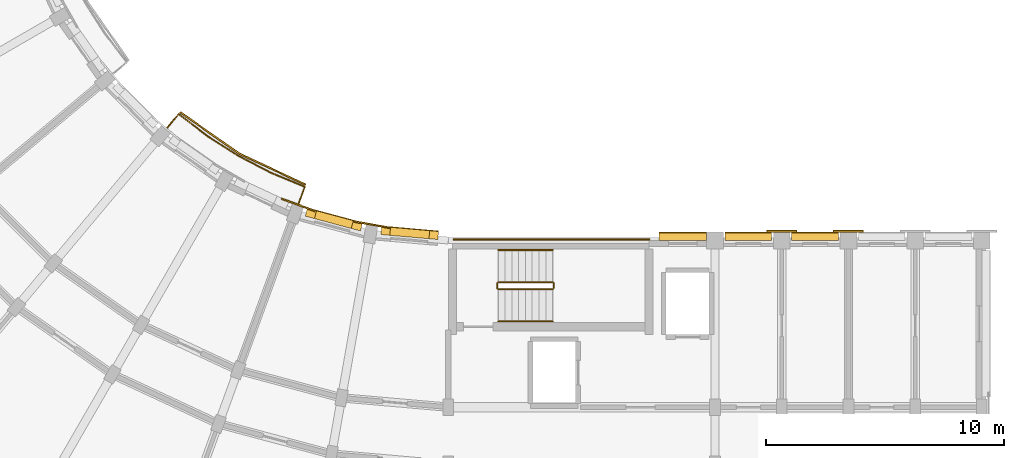
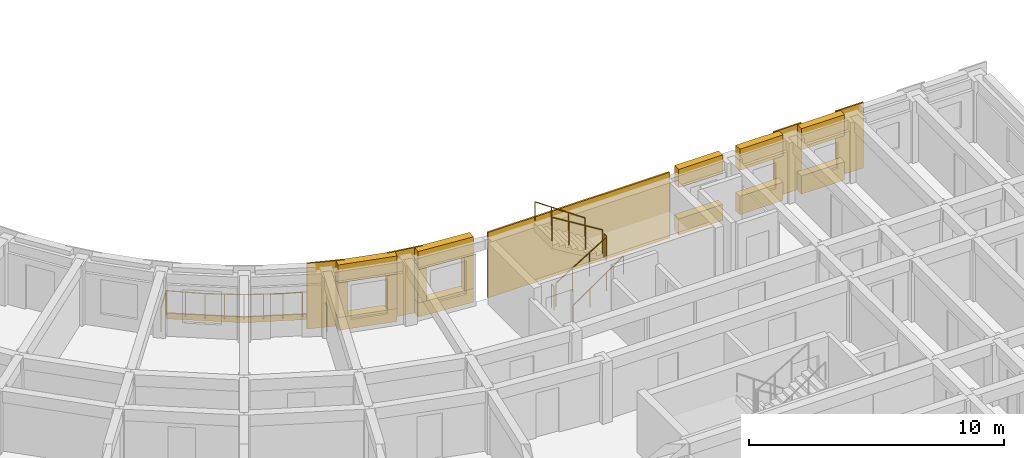
# One storey, part 42 of 57: 20 coverings, 7 railings.
"""IFC4 building model written with IfcOpenShell, lengths in metres."""

from ifc_helpers import new_model, si_unit, direction, frame, origin, origin_2d, place, context, subcontext, project, spatial, polyline, circle, outline, extrude, material, layer, layer_set, type_object, element, save


model = new_model("IFC4")

# Units and contexts
model_context = context("Model", 3, precision=1e-05, world=origin(), true_north=direction((0.0, 1.0)))
body_context = subcontext(model_context, "Body", "Model", "MODEL_VIEW")
ifc_project = project(units=[si_unit("LENGTHUNIT", "METRE"), si_unit("AREAUNIT", "SQUARE_METRE"), si_unit("VOLUMEUNIT", "CUBIC_METRE"), si_unit("PLANEANGLEUNIT", "RADIAN"), si_unit("MASSUNIT", "GRAM", prefix="KILO")], contexts=[model_context])

# Site, building, storey
site_placement = place(None, origin())
site = spatial("IfcSite", under=ifc_project, at=site_placement, CompositionType="ELEMENT")
building_placement = place(site_placement, origin())
building = spatial("IfcBuilding", under=site, at=building_placement, Name="Kiranvali Square Residences", CompositionType="ELEMENT")
storey_placement = place(building_placement, frame((0.0, 0.0, 21.300048828125)))
storey = spatial("IfcBuildingStorey", under=building, at=storey_placement, Name="L06", CompositionType="ELEMENT", Elevation=21.300048828125)

# Coverings
ifc_material_1 = material(Name="Carved Porbandar limestone classical entablature and cornice", Category="masonry")
ifc_layer_1 = layer(ifc_material_1, 0.06201171875)
ifc_layer_set_1 = layer_set([ifc_layer_1], Name="Carved Porbandar limestone classical entablature and cornice")
covering_type_1 = type_object("IfcCoveringType", Name="COV-CLAD-GBAL", PredefinedType="CLADDING", material=ifc_layer_set_1)
covering_1_placement = place(storey_placement, frame((0.0, 0.0, -0.219970703125)))
element("IfcCovering", 1, at=covering_1_placement, inside=storey, type_object=covering_type_1, Name="Block C L06 garden balcony limestone fascia 1", PredefinedType="CLADDING", context=body_context, shape_type="SweptSolid", body=[
    extrude(outline(polyline([(42.221435546875, 31.774169921875), (39.4599609375, 33.061767578125), (36.964111328125, 34.8095703125), (36.92041015625, 34.757568359375), (39.426025390625, 33.0029296875), (42.1982421875, 31.710205078125), (42.221435546875, 31.774169921875)])), origin(), (0.0, 0.0, 1.0), 0.27001953125),
])
ifc_material_2 = material(Name="Honed Porbandar limestone ashlar facade cladding", Category="masonry")
ifc_layer_2 = layer(ifc_material_2, 0.3798828125)
ifc_layer_set_2 = layer_set([ifc_layer_2], Name="Honed Porbandar limestone ashlar facade cladding")
covering_type_2 = type_object("IfcCoveringType", Name="COV-CLAD-JAMB", PredefinedType="CLADDING", material=ifc_layer_set_2)
covering_2_placement = place(storey_placement, frame((0.0, 0.0, 0.671875)))
element("IfcCovering", 2, at=covering_2_placement, inside=storey, type_object=covering_type_2, Name="L06 deep limestone window jamb reveal C-L06-GDN-00.L", PredefinedType="CLADDING", context=body_context, shape_type="SweptSolid", body=[
    extrude(outline(polyline([(47.791259765625, 29.777099609375), (47.419189453125, 29.8095703125), (47.3896484375, 29.471435546875), (47.76171875, 29.43896484375), (47.791259765625, 29.777099609375)])), origin(), (0.0, 0.0, 1.0), 1.60009765625),
])
covering_3_placement = place(storey_placement, frame((0.0, 0.0, 0.671875)))
element("IfcCovering", 3, at=covering_3_placement, inside=storey, type_object=covering_type_2, Name="L06 deep limestone window jamb reveal C-L06-GDN-00.R", PredefinedType="CLADDING", context=body_context, shape_type="SweptSolid", body=[
    extrude(outline(polyline([(45.775390625, 29.953369140625), (45.4033203125, 29.986083984375), (45.373779296875, 29.647705078125), (45.745849609375, 29.615234375), (45.775390625, 29.953369140625)])), origin(), (0.0, 0.0, 1.0), 1.60009765625),
])
covering_4_placement = place(storey_placement, frame((0.0, 0.0, 0.6220703125)))
element("IfcCovering", 4, at=covering_4_placement, inside=storey, type_object=covering_type_2, Name="L06 deep limestone window jamb reveal C-L06-GDN-01.L", PredefinedType="CLADDING", context=body_context, shape_type="SweptSolid", body=[
    extrude(outline(polyline([(44.598388671875, 30.1279296875), (44.21337890625, 30.23095703125), (44.12548828125, 29.903076171875), (44.510498046875, 29.800048828125), (44.598388671875, 30.1279296875)])), origin(), (0.0, 0.0, 1.0), 1.64990234375),
])
covering_5_placement = place(storey_placement, frame((0.0, 0.0, 0.6220703125)))
element("IfcCovering", 5, at=covering_5_placement, inside=storey, type_object=covering_type_2, Name="L06 deep limestone window jamb reveal C-L06-GDN-01.R", PredefinedType="CLADDING", context=body_context, shape_type="SweptSolid", body=[
    extrude(outline(polyline([(42.66796875, 30.645263671875), (42.282958984375, 30.748291015625), (42.195068359375, 30.42041015625), (42.580078125, 30.317138671875), (42.66796875, 30.645263671875)])), origin(), (0.0, 0.0, 1.0), 1.64990234375),
])
ifc_layer_3 = layer(ifc_material_2, 0.06494140625)
ifc_layer_set_3 = layer_set([ifc_layer_3], Name="Honed Porbandar limestone ashlar facade cladding")
covering_type_3 = type_object("IfcCoveringType", Name="COV-CLAD-PIER", PredefinedType="CLADDING", material=ifc_layer_set_3)
covering_6_placement = place(storey_placement, frame((0.0, 0.0, 0.0048828125)))
element("IfcCovering", 6, at=covering_6_placement, inside=storey, type_object=covering_type_3, Name="Block C L06 garden stair limestone ashlar cladding", PredefinedType="CLADDING", context=body_context, shape_type="SweptSolid", body=[
    extrude(outline(polyline([(48.39990234375, 29.402099609375), (56.64990234375, 29.402099609375), (56.64990234375, 29.47998046875), (48.39990234375, 29.47998046875), (48.39990234375, 29.402099609375)])), origin(), (0.0, 0.0, 1.0), 3.14013671875),
])
ifc_layer_4 = layer(ifc_material_2, 0.050048828125)
ifc_layer_set_4 = layer_set([ifc_layer_4], Name="Honed Porbandar limestone ashlar facade cladding")
covering_type_4 = type_object("IfcCoveringType", Name="COV-CLAD-PIER-IN", PredefinedType="CLADDING", material=ifc_layer_set_4)
covering_7_placement = place(storey_placement, frame((0.0, 0.0, 0.0048828125)))
element("IfcCovering", 7, at=covering_7_placement, inside=storey, type_object=covering_type_4, Name="L06 Classical garden courtyard pilaster CLAD-PRIN-C-L06-A01", PredefinedType="CLADDING", context=body_context, shape_type="SweptSolid", body=[
    extrude(outline(polyline([(45.74658203125, 29.967041015625), (44.269287109375, 30.2275390625), (44.257568359375, 30.1611328125), (45.73486328125, 29.900634765625), (45.74658203125, 29.967041015625)])), origin(), (0.0, 0.0, 1.0), 3.14013671875),
])
covering_8_placement = place(storey_placement, frame((0.0, 0.0, 0.0048828125)))
element("IfcCovering", 8, at=covering_8_placement, inside=storey, type_object=covering_type_4, Name="L06 Classical garden courtyard pilaster CLAD-PRIN-C-L06-A02", PredefinedType="CLADDING", context=body_context, shape_type="SweptSolid", body=[
    extrude(outline(polyline([(42.61767578125, 30.670166015625), (41.208251953125, 31.18310546875), (41.18505859375, 31.11962890625), (42.5947265625, 30.606689453125), (42.61767578125, 30.670166015625)])), origin(), (0.0, 0.0, 1.0), 3.14013671875),
])
covering_9_placement = place(storey_placement, frame((0.0, 0.0, 0.0048828125)))
element("IfcCovering", 9, at=covering_9_placement, inside=storey, type_object=covering_type_4, Name="L06 Classical limestone pilaster casing CLAD-PRA1I-C-L06-U140", PredefinedType="CLADDING", context=body_context, shape_type="SweptSolid", body=[
    extrude(outline(polyline([(61.570068359375, 29.75048828125), (62.830078125, 29.75048828125), (62.830078125, 29.818115234375), (61.570068359375, 29.818115234375), (61.570068359375, 29.75048828125)])), origin(), (0.0, 0.0, 1.0), 3.14013671875),
])
covering_10_placement = place(storey_placement, frame((0.0, 0.0, 0.0048828125)))
element("IfcCovering", 10, at=covering_10_placement, inside=storey, type_object=covering_type_4, Name="L06 Classical limestone pilaster casing CLAD-PRA1I-C-L06-U167", PredefinedType="CLADDING", context=body_context, shape_type="SweptSolid", body=[
    extrude(outline(polyline([(64.3701171875, 29.75048828125), (65.6298828125, 29.75048828125), (65.6298828125, 29.818115234375), (64.3701171875, 29.818115234375), (64.3701171875, 29.75048828125)])), origin(), (0.0, 0.0, 1.0), 3.14013671875),
])
ifc_layer_5 = layer(ifc_material_2, 0.360107421875)
ifc_layer_set_5 = layer_set([ifc_layer_5], Name="Honed Porbandar limestone ashlar facade cladding")
covering_type_5 = type_object("IfcCoveringType", Name="COV-CLAD-WALL", PredefinedType="CLADDING", material=ifc_layer_set_5)
covering_11_placement = place(storey_placement, frame((0.0, 0.0, 2.27197265625)))
element("IfcCovering", 11, at=covering_11_placement, inside=storey, type_object=covering_type_5, Name="L06 light limestone spandrel lintel C-L06-GDN-00", PredefinedType="CLADDING", context=body_context, shape_type="SweptSolid", body=[
    extrude(outline(polyline([(47.791259765625, 29.777099609375), (45.4033203125, 29.986083984375), (45.373779296875, 29.647705078125), (47.76171875, 29.43896484375), (47.791259765625, 29.777099609375)])), origin(), (0.0, 0.0, 1.0), 0.873046875),
])
covering_12_placement = place(storey_placement, frame((0.0, 0.0, 2.27197265625)))
element("IfcCovering", 12, at=covering_12_placement, inside=storey, type_object=covering_type_5, Name="L06 light limestone spandrel lintel C-L06-GDN-01", PredefinedType="CLADDING", context=body_context, shape_type="SweptSolid", body=[
    extrude(outline(polyline([(44.598388671875, 30.1279296875), (42.282958984375, 30.748291015625), (42.195068359375, 30.42041015625), (44.510498046875, 29.800048828125), (44.598388671875, 30.1279296875)])), origin(), (0.0, 0.0, 1.0), 0.873046875),
])
covering_13_placement = place(storey_placement, frame((0.0, 0.0, 2.27197265625)))
element("IfcCovering", 13, at=covering_13_placement, inside=storey, type_object=covering_type_5, Name="L06 light limestone spandrel lintel C-L06-A1IN-0", PredefinedType="CLADDING", context=body_context, shape_type="SweptSolid", body=[
    extrude(outline(polyline([(57.050048828125, 29.400390625), (59.050048828125, 29.400390625), (59.050048828125, 29.719970703125), (57.050048828125, 29.719970703125), (57.050048828125, 29.400390625)])), origin(), (0.0, 0.0, 1.0), 0.873046875),
])
covering_14_placement = place(storey_placement, frame((0.0, 0.0, 0.0048828125)))
element("IfcCovering", 14, at=covering_14_placement, inside=storey, type_object=covering_type_5, Name="L06 limestone window sill apron C-L06-A1IN-0", PredefinedType="CLADDING", context=body_context, shape_type="SweptSolid", body=[
    extrude(outline(polyline([(57.050048828125, 29.400390625), (59.050048828125, 29.400390625), (59.050048828125, 29.75), (57.050048828125, 29.75), (57.050048828125, 29.400390625)])), origin(), (0.0, 0.0, 1.0), 0.76708984375),
])
covering_15_placement = place(storey_placement, frame((0.0, 0.0, 2.1298828125)))
element("IfcCovering", 15, at=covering_15_placement, inside=storey, type_object=covering_type_5, Name="L06 light limestone spandrel lintel C-L06-A1I-0", PredefinedType="CLADDING", context=body_context, shape_type="SweptSolid", body=[
    extrude(outline(polyline([(59.820068359375, 29.400390625), (61.780029296875, 29.400390625), (61.780029296875, 29.719970703125), (59.820068359375, 29.719970703125), (59.820068359375, 29.400390625)])), origin(), (0.0, 0.0, 1.0), 1.01513671875),
])
covering_16_placement = place(storey_placement, frame((0.0, 0.0, 0.0048828125)))
element("IfcCovering", 16, at=covering_16_placement, inside=storey, type_object=covering_type_5, Name="L06 limestone window sill apron C-L06-A1I-0", PredefinedType="CLADDING", context=body_context, shape_type="SweptSolid", body=[
    extrude(outline(polyline([(59.820068359375, 29.400390625), (61.780029296875, 29.400390625), (61.780029296875, 29.75), (59.820068359375, 29.75), (59.820068359375, 29.400390625)])), origin(), (0.0, 0.0, 1.0), 0.875),
])
covering_17_placement = place(storey_placement, frame((0.0, 0.0, 2.1298828125)))
element("IfcCovering", 17, at=covering_17_placement, inside=storey, type_object=covering_type_5, Name="L06 light limestone spandrel lintel C-L06-A1I-1", PredefinedType="CLADDING", context=body_context, shape_type="SweptSolid", body=[
    extrude(outline(polyline([(62.6201171875, 29.400390625), (64.580078125, 29.400390625), (64.580078125, 29.719970703125), (62.6201171875, 29.719970703125), (62.6201171875, 29.400390625)])), origin(), (0.0, 0.0, 1.0), 1.01513671875),
])
covering_18_placement = place(storey_placement, frame((0.0, 0.0, 0.0048828125)))
element("IfcCovering", 18, at=covering_18_placement, inside=storey, type_object=covering_type_5, Name="L06 limestone window sill apron C-L06-A1I-1", PredefinedType="CLADDING", context=body_context, shape_type="SweptSolid", body=[
    extrude(outline(polyline([(62.6201171875, 29.400390625), (64.580078125, 29.400390625), (64.580078125, 29.75), (62.6201171875, 29.75), (62.6201171875, 29.400390625)])), origin(), (0.0, 0.0, 1.0), 0.875),
])
ifc_layer_6 = layer(ifc_material_2, 0.2900390625)
ifc_layer_set_6 = layer_set([ifc_layer_6], Name="Honed Porbandar limestone ashlar facade cladding")
covering_type_6 = type_object("IfcCoveringType", Name="COV-CLAD-WALL-IN", PredefinedType="CLADDING", material=ifc_layer_set_6)
covering_19_placement = place(storey_placement, frame((0.0, 0.0, 0.0048828125)))
element("IfcCovering", 19, at=covering_19_placement, inside=storey, type_object=covering_type_6, Name="L06 limestone window sill apron C-L06-GDN-00", PredefinedType="CLADDING", context=body_context, shape_type="SweptSolid", body=[
    extrude(outline(polyline([(47.7939453125, 29.806884765625), (45.406005859375, 30.015869140625), (45.373779296875, 29.647705078125), (47.76171875, 29.43896484375), (47.7939453125, 29.806884765625)])), origin(), (0.0, 0.0, 1.0), 0.6669921875),
])
covering_20_placement = place(storey_placement, frame((0.0, 0.0, 0.0048828125)))
element("IfcCovering", 20, at=covering_20_placement, inside=storey, type_object=covering_type_6, Name="L06 limestone window sill apron C-L06-GDN-01", PredefinedType="CLADDING", context=body_context, shape_type="SweptSolid", body=[
    extrude(outline(polyline([(44.606201171875, 30.156982421875), (42.290771484375, 30.77734375), (42.195068359375, 30.42041015625), (44.510498046875, 29.800048828125), (44.606201171875, 30.156982421875)])), origin(), (0.0, 0.0, 1.0), 0.6171875),
])

# Railings
ifc_material_3 = material(Name="Powder-coated architectural bronze balustrade", Category="steel")
railing_type_1 = type_object("IfcRailingType", Name="RL-BAL-GOLD-1200", PredefinedType="BALUSTRADE", material=ifc_material_3)
railing_1_placement = place(storey_placement, frame((41.78369140625, 30.5712890625, 0.0)))
element("IfcRailing", 21, at=railing_1_placement, inside=storey, type_object=railing_type_1, Name="Block C L06 garden balcony gold balustrade 1", PredefinedType="BALUSTRADE", context=body_context, shape_type="SweptSolid", body=[
    extrude(circle(Radius=0.02392578125, at=origin_2d()), frame((0.0, 0.0, 1.17578125), z_axis=(0.341964618562, 0.939712828289, 0.0), x_axis=(-0.939712828289, 0.341964618562, 0.0)), (0.0, 0.0, 1.0), 1.150146484375),
    extrude(circle(Radius=0.02392578125, at=origin_2d()), frame((0.393310546875, 1.080810546875, 1.17578125), z_axis=(-0.923892883829, 0.382651197843, 0.0), x_axis=(-0.382651197843, -0.923892883829, 0.0)), (0.0, 0.0, 1.0), 1.536376953125),
    extrude(circle(Radius=0.02392578125, at=origin_2d()), frame((-1.026123046875, 1.668701171875, 1.17578125), z_axis=(-0.887029366154, 0.461713009976, 0.0), x_axis=(-0.461713009976, -0.887029366154, 0.0)), (0.0, 0.0, 1.0), 1.5361328125),
    extrude(circle(Radius=0.02392578125, at=origin_2d()), frame((-2.388671875, 2.3779296875, 1.17578125), z_axis=(-0.843386539688, 0.537307309343, 0.0), x_axis=(-0.537307309343, -0.843386539688, 0.0)), (0.0, 0.0, 1.0), 1.5361328125),
    extrude(circle(Radius=0.02392578125, at=origin_2d()), frame((-3.684326171875, 3.203369140625, 1.17578125), z_axis=(-0.793314680996, 0.608811807471, 0.0), x_axis=(-0.608811807471, -0.793314680996, 0.0)), (0.0, 0.0, 1.0), 1.536376953125),
    extrude(circle(Radius=0.02392578125, at=origin_2d()), frame((-4.903076171875, 4.138671875, 1.17578125), z_axis=(-0.642853454051, -0.765989188314, 0.0), x_axis=(0.765989188314, -0.642853454051, 0.0)), (0.0, 0.0, 1.0), 1.14990234375),
    extrude(circle(Radius=0.02099609375, at=origin_2d()), origin(), (0.0, 0.0, 1.0), 1.15185546875),
    extrude(circle(Radius=0.02099609375, at=origin_2d()), frame((0.393310546875, 1.080810546875, 0.0)), (0.0, 0.0, 1.0), 1.15185546875),
    extrude(circle(Radius=0.02099609375, at=origin_2d()), frame((-0.31640625, 1.374755859375, 0.0)), (0.0, 0.0, 1.0), 1.15185546875),
    extrude(circle(Radius=0.02099609375, at=origin_2d()), frame((-1.026123046875, 1.668701171875, 0.0)), (0.0, 0.0, 1.0), 1.15185546875),
    extrude(circle(Radius=0.02099609375, at=origin_2d()), frame((-1.70751953125, 2.0234375, 0.0)), (0.0, 0.0, 1.0), 1.15185546875),
    extrude(circle(Radius=0.02099609375, at=origin_2d()), frame((-2.388671875, 2.3779296875, 0.0)), (0.0, 0.0, 1.0), 1.15185546875),
    extrude(circle(Radius=0.02099609375, at=origin_2d()), frame((-3.03662109375, 2.79052734375, 0.0)), (0.0, 0.0, 1.0), 1.15185546875),
    extrude(circle(Radius=0.02099609375, at=origin_2d()), frame((-3.684326171875, 3.203369140625, 0.0)), (0.0, 0.0, 1.0), 1.15185546875),
    extrude(circle(Radius=0.02099609375, at=origin_2d()), frame((-4.293701171875, 3.6708984375, 0.0)), (0.0, 0.0, 1.0), 1.15185546875),
    extrude(circle(Radius=0.02099609375, at=origin_2d()), frame((-4.903076171875, 4.138671875, 0.0)), (0.0, 0.0, 1.0), 1.15185546875),
    extrude(circle(Radius=0.02099609375, at=origin_2d()), frame((-5.642333984375, 3.2578125, 0.0)), (0.0, 0.0, 1.0), 1.15185546875),
])
ifc_material_4 = material(Name="Brushed stainless steel tubular handrail", Category="steel")
railing_type_2 = type_object("IfcRailingType", Name="RL-HANDRAIL-900", PredefinedType="HANDRAIL", material=ifc_material_4)
railing_2_placement = place(storey_placement, frame((50.300048828125, 26.0, 0.175048828125)))
element("IfcRailing", 22, at=railing_2_placement, inside=storey, type_object=railing_type_2, Name="L06 ST-C2 stair handrail 1", PredefinedType="HANDRAIL", context=body_context, shape_type="SweptSolid", body=[
    extrude(circle(Radius=0.02392578125, at=origin_2d()), frame((0.0, 0.0, 0.8759765625), z_axis=(0.82278801735, 0.0, 0.568348377763), x_axis=(0.0, 1.0, 0.0)), (0.0, 0.0, 1.0), 2.77099609375),
    extrude(circle(Radius=0.02099609375, at=origin_2d()), origin(), (0.0, 0.0, 1.0), 0.851806640625),
    extrude(circle(Radius=0.02099609375, at=origin_2d()), frame((0.760009765625, 0.0, 0.52490234375)), (0.0, 0.0, 1.0), 0.851806640625),
    extrude(circle(Radius=0.02099609375, at=origin_2d()), frame((1.52001953125, 0.0, 1.050048828125)), (0.0, 0.0, 1.0), 0.851806640625),
    extrude(circle(Radius=0.02099609375, at=origin_2d()), frame((2.280029296875, 0.0, 1.574951171875)), (0.0, 0.0, 1.0), 0.851806640625),
])
railing_3_placement = place(storey_placement, frame((52.580078125, 29.0, 1.75)))
element("IfcRailing", 23, at=railing_3_placement, inside=storey, type_object=railing_type_2, Name="L06 ST-C2 stair handrail 2", PredefinedType="HANDRAIL", context=body_context, shape_type="SweptSolid", body=[
    extrude(circle(Radius=0.02392578125, at=origin_2d()), frame((0.0, 0.0, 0.8759765625), z_axis=(-0.82278801735, 0.0, 0.568348377763), x_axis=(0.0, -1.0, 0.0)), (0.0, 0.0, 1.0), 2.77099609375),
    extrude(circle(Radius=0.02099609375, at=origin_2d()), origin(), (0.0, 0.0, 1.0), 0.851806640625),
    extrude(circle(Radius=0.02099609375, at=origin_2d()), frame((-0.760009765625, 0.0, 0.52490234375)), (0.0, 0.0, 1.0), 0.851806640625),
    extrude(circle(Radius=0.02099609375, at=origin_2d()), frame((-1.52001953125, 0.0, 1.050048828125)), (0.0, 0.0, 1.0), 0.851806640625),
    extrude(circle(Radius=0.02099609375, at=origin_2d()), frame((-2.280029296875, 0.0, 1.574951171875)), (0.0, 0.0, 1.0), 0.851806640625),
])
railing_type_3 = type_object("IfcRailingType", Name="RL-ST-GUARD-1200", PredefinedType="GUARDRAIL", material=ifc_material_3)
railing_4_placement = place(storey_placement, frame((50.300048828125, 27.35009765625, 0.175048828125)))
element("IfcRailing", 24, at=railing_4_placement, inside=storey, type_object=railing_type_3, Name="L06 ST-C2 stair guard 1", PredefinedType="GUARDRAIL", context=body_context, shape_type="SweptSolid", body=[
    extrude(circle(Radius=0.02392578125, at=origin_2d()), frame((0.0, 0.0, 1.1259765625), z_axis=(0.852190499154, 0.0, 0.523231643875), x_axis=(0.0, 1.0, 0.0)), (0.0, 0.0, 1.0), 2.675537109375),
    extrude(circle(Radius=0.02099609375, at=origin_2d()), origin(), (0.0, 0.0, 1.0), 1.101806640625),
    extrude(circle(Radius=0.02099609375, at=origin_2d()), frame((0.760009765625, 0.0, 0.466552734375)), (0.0, 0.0, 1.0), 1.101806640625),
    extrude(circle(Radius=0.02099609375, at=origin_2d()), frame((1.52001953125, 0.0, 0.933349609375)), (0.0, 0.0, 1.0), 1.101806640625),
    extrude(circle(Radius=0.02099609375, at=origin_2d()), frame((2.280029296875, 0.0, 1.39990234375)), (0.0, 0.0, 1.0), 1.101806640625),
])
railing_5_placement = place(storey_placement, frame((52.6298828125, 27.39990234375, 1.574951171875)))
element("IfcRailing", 25, at=railing_5_placement, inside=storey, type_object=railing_type_3, Name="L06 ST-C2 stair guard 2", PredefinedType="GUARDRAIL", context=body_context, shape_type="SweptSolid", body=[
    extrude(circle(Radius=0.02392578125, at=origin_2d()), frame((0.0, 0.0, 1.1259765625), z_axis=(0.0, 1.0, 0.0), x_axis=(-1.0, 0.0, 0.0)), (0.0, 0.0, 1.0), 0.2001953125),
    extrude(circle(Radius=0.02099609375, at=origin_2d()), origin(), (0.0, 0.0, 1.0), 1.101806640625),
    extrude(circle(Radius=0.02099609375, at=origin_2d()), frame((0.0, 0.2001953125, 0.0)), (0.0, 0.0, 1.0), 1.101806640625),
])
railing_6_placement = place(storey_placement, frame((52.580078125, 27.64990234375, 1.75)))
element("IfcRailing", 26, at=railing_6_placement, inside=storey, type_object=railing_type_3, Name="L06 ST-C2 stair guard 3", PredefinedType="GUARDRAIL", context=body_context, shape_type="SweptSolid", body=[
    extrude(circle(Radius=0.02392578125, at=origin_2d()), frame((0.0, 0.0, 1.1259765625), z_axis=(-0.852190499154, 0.0, 0.523231643875), x_axis=(0.0, -1.0, 0.0)), (0.0, 0.0, 1.0), 2.675537109375),
    extrude(circle(Radius=0.02099609375, at=origin_2d()), origin(), (0.0, 0.0, 1.0), 1.101806640625),
    extrude(circle(Radius=0.02099609375, at=origin_2d()), frame((-0.760009765625, 0.0, 0.466552734375)), (0.0, 0.0, 1.0), 1.101806640625),
    extrude(circle(Radius=0.02099609375, at=origin_2d()), frame((-1.52001953125, 0.0, 0.933349609375)), (0.0, 0.0, 1.0), 1.101806640625),
    extrude(circle(Radius=0.02099609375, at=origin_2d()), frame((-2.280029296875, 0.0, 1.39990234375)), (0.0, 0.0, 1.0), 1.101806640625),
])
railing_7_placement = place(storey_placement, frame((50.25, 27.39990234375, 0.0)))
element("IfcRailing", 27, at=railing_7_placement, inside=storey, type_object=railing_type_3, Name="L06 ST-C2 stair guard 4", PredefinedType="GUARDRAIL", context=body_context, shape_type="SweptSolid", body=[
    extrude(circle(Radius=0.02392578125, at=origin_2d()), frame((0.0, 0.0, 1.1259765625), z_axis=(0.0, 1.0, 0.0), x_axis=(-1.0, 0.0, 0.0)), (0.0, 0.0, 1.0), 0.2001953125),
    extrude(circle(Radius=0.02099609375, at=origin_2d()), origin(), (0.0, 0.0, 1.0), 1.101806640625),
    extrude(circle(Radius=0.02099609375, at=origin_2d()), frame((0.0, 0.2001953125, 0.0)), (0.0, 0.0, 1.0), 1.101806640625),
])

save(model, "model.ifc")
